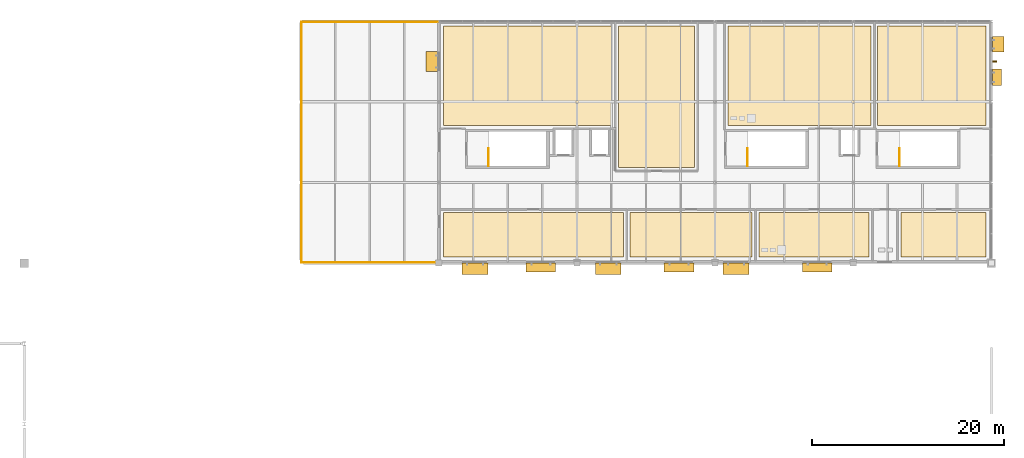
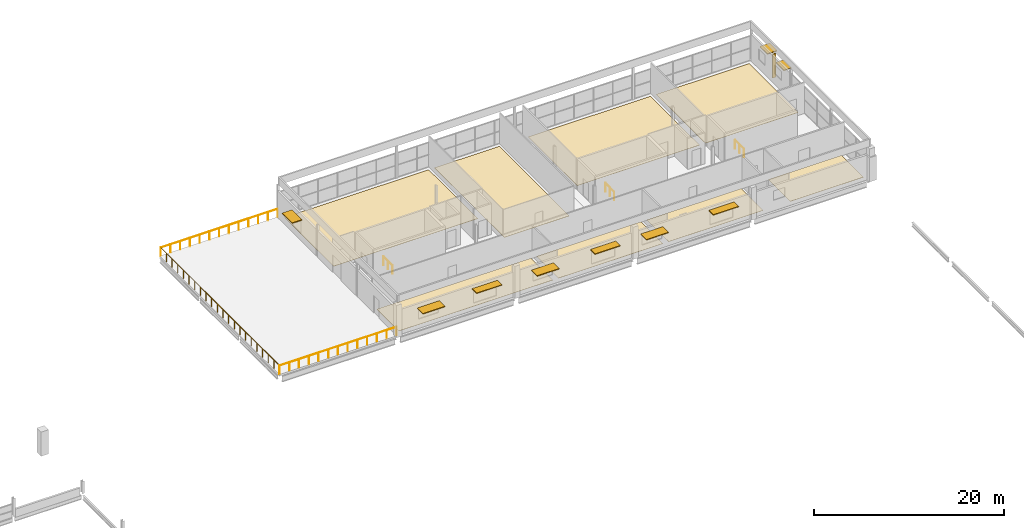
# One storey, part 42 of 43: 10 shading devices, 8 coverings, 6 railings.
"""IFC4 building model written with IfcOpenShell, lengths in metres."""

from ifc_helpers import new_model, si_unit, direction, frame, origin, origin_2d, place, context, subcontext, project, spatial, polyline, rectangle, circle, outline, extrude, material, layer, layer_set, type_object, element, save


model = new_model("IFC4")

# Units and contexts
model_context = context("Model", 3, precision=1e-05, world=origin(), true_north=direction((0.0, 1.0)))
body_context = subcontext(model_context, "Body", "Model", "MODEL_VIEW")
ifc_project = project(units=[si_unit("LENGTHUNIT", "METRE"), si_unit("AREAUNIT", "SQUARE_METRE"), si_unit("VOLUMEUNIT", "CUBIC_METRE"), si_unit("PLANEANGLEUNIT", "RADIAN"), si_unit("MASSUNIT", "GRAM", prefix="KILO"), si_unit("THERMODYNAMICTEMPERATUREUNIT", "KELVIN")], contexts=[model_context])

# Site, building, storey
site_placement = place(None, origin())
site = spatial("IfcSite", under=ifc_project, at=site_placement, CompositionType="ELEMENT")
building_placement = place(site_placement, origin())
building = spatial("IfcBuilding", under=site, at=building_placement, Name="Nduvali Passage Aquatics Centre", CompositionType="ELEMENT")
storey_placement = place(building_placement, frame((0.0, 0.0, 17.39990234375)))
storey = spatial("IfcBuildingStorey", under=building, at=storey_placement, Name="L04", CompositionType="ELEMENT", Elevation=17.39990234375)

# Shading devices
ifc_material_1 = material(Name="Glulam GL28h", Category="wood")
shading_device_type_1 = type_object("IfcShadingDeviceType", Name="ENV-SHD-FIN1", PredefinedType="USERDEFINED", material=ifc_material_1)
shading_device_1_placement = place(storey_placement, frame((126.3349609375, 113.407470703125, 0.199951171875), z_axis=(0.0, 0.0, 1.0), x_axis=(0.0, 1.0, 0.0)))
element("IfcShadingDevice", 1, at=shading_device_1_placement, inside=storey, type_object=shading_device_type_1, Name="L04 Vertical Glulam Facade Fin 0118", ObjectType="VERTICAL FIN", PredefinedType="USERDEFINED", context=body_context, shape_type="SweptSolid", body=[
    extrude(rectangle(XDim=0.1201171875, YDim=0.43994140625, at=origin_2d()), origin(), (0.0, 0.0, 1.0), 3.03662109375),
])
ifc_material_2 = material(Name="Aluminium EN AW-6063 T6", Category="aluminium")
ifc_layer_1 = layer(ifc_material_2, 0.090087890625, Name="Aluminium EN AW-6063 T6")
ifc_layer_set_1 = layer_set([ifc_layer_1], Name="Aluminium EN AW-6063 T6")
shading_device_type_2 = type_object("IfcShadingDeviceType", Name="ENV-SHD-SUN1", PredefinedType="AWNING", material=ifc_layer_set_1)
shading_device_2_placement = place(storey_placement, frame((67.68994140625, 113.406982421875, 2.7548828125), z_axis=(0.0, 0.0, 1.0), x_axis=(0.0, -1.0, 0.0)))
element("IfcShadingDevice", 2, at=shading_device_2_placement, inside=storey, type_object=shading_device_type_2, Name="L04 Horizontal Monsoon Sunshade 0115", PredefinedType="AWNING", context=body_context, shape_type="SweptSolid", body=[
    extrude(rectangle(XDim=2.10009765625, YDim=1.199951171875, at=origin_2d()), origin(), (0.0, 0.0, 1.0), 0.090087890625),
])
shading_device_3_placement = place(storey_placement, frame((126.7099609375, 115.201904296875, 2.60498046875), z_axis=(0.0, 0.0, 1.0), x_axis=(0.0, 1.0, 0.0)))
element("IfcShadingDevice", 3, at=shading_device_3_placement, inside=storey, type_object=shading_device_type_2, Name="L04 Horizontal Monsoon Sunshade 0117", PredefinedType="AWNING", context=body_context, shape_type="SweptSolid", body=[
    extrude(rectangle(XDim=1.60009765625, YDim=1.199951171875, at=origin_2d()), origin(), (0.0, 0.0, 1.0), 0.090087890625),
])
for number, where, z_axis, x_axis, name in (
    (4, (72.162109375, 91.820068359375, 2.60498046875), (0.0, 0.0, 1.0), (1.0, 0.0, 0.0), "L04 Horizontal Monsoon Sunshade 0119"),
    (5, (86.06201171875, 91.820068359375, 2.60498046875), (0.0, 0.0, 1.0), (1.0, 0.0, 0.0), "L04 Horizontal Monsoon Sunshade 0121"),
    (6, (99.362060546875, 91.820068359375, 2.60498046875), (0.0, 0.0, 1.0), (1.0, 0.0, 0.0), "L04 Horizontal Monsoon Sunshade 0123"),
):
    element("IfcShadingDevice", number, at=place(storey_placement, frame(where, z_axis=z_axis, x_axis=x_axis)), inside=storey, type_object=shading_device_type_2, Name=name, PredefinedType="AWNING", context=body_context, shape_type="SweptSolid", body=[
        extrude(rectangle(XDim=2.699951171875, YDim=1.199951171875, at=origin_2d()), origin(), (0.0, 0.0, 1.0), 0.090087890625),
    ])
ifc_layer_2 = layer(ifc_material_2, 0.080078125, Name="Aluminium EN AW-6063 T6")
ifc_layer_set_2 = layer_set([ifc_layer_2], Name="Aluminium EN AW-6063 T6")
shading_device_type_3 = type_object("IfcShadingDeviceType", Name="ENV-SHD-SUN2", PredefinedType="AWNING", material=ifc_layer_set_2)
shading_device_4_placement = place(storey_placement, frame((126.5849609375, 111.777099609375, 2.610107421875), z_axis=(0.0, 0.0, 1.0), x_axis=(0.0, 1.0, 0.0)))
element("IfcShadingDevice", 7, at=shading_device_4_placement, inside=storey, type_object=shading_device_type_3, Name="L04 Horizontal Monsoon Sunshade 0116", PredefinedType="AWNING", context=body_context, shape_type="SweptSolid", body=[
    extrude(rectangle(XDim=1.699951171875, YDim=0.949951171875, at=origin_2d()), origin(), (0.0, 0.0, 1.0), 0.080078125),
])
for number, where, z_axis, x_axis, name in (
    (8, (79.037109375, 91.945068359375, 2.760009765625), (0.0, 0.0, 1.0), (1.0, 0.0, 0.0), "L04 Horizontal Monsoon Sunshade 0120"),
    (9, (93.43701171875, 91.945068359375, 2.760009765625), (0.0, 0.0, 1.0), (1.0, 0.0, 0.0), "L04 Horizontal Monsoon Sunshade 0122"),
    (10, (107.8369140625, 91.945068359375, 2.760009765625), (0.0, 0.0, 1.0), (1.0, 0.0, 0.0), "L04 Horizontal Monsoon Sunshade 0124"),
):
    element("IfcShadingDevice", number, at=place(storey_placement, frame(where, z_axis=z_axis, x_axis=x_axis)), inside=storey, type_object=shading_device_type_3, Name=name, PredefinedType="AWNING", context=body_context, shape_type="SweptSolid", body=[
        extrude(rectangle(XDim=3.10009765625, YDim=0.949951171875, at=origin_2d()), origin(), (0.0, 0.0, 1.0), 0.080078125),
    ])

# Coverings
ifc_material_3 = material(Name="Polished coral-aggregate terrazzo")
ifc_layer_3 = layer(ifc_material_3, 0.030029296875, Name="Polished coral-aggregate terrazzo")
ifc_layer_set_3 = layer_set([ifc_layer_3], Name="Polished coral-aggregate terrazzo")
covering_type_1 = type_object("IfcCoveringType", Name="INT-COV-TERRAZZO", PredefinedType="FLOORING", material=ifc_layer_set_3)
covering_1_placement = place(storey_placement, origin())
element("IfcCovering", 11, at=covering_1_placement, inside=storey, type_object=covering_type_1, Name="L04 Breathwork and Altitude Conditioning Wellness Studio Floor Finish", PredefinedType="FLOORING", context=body_context, shape_type="SweptSolid", body=[
    extrude(outline(polyline([(68.89990234375, 106.75), (86.449951171875, 106.75), (86.449951171875, 117.110107421875), (68.89990234375, 117.110107421875), (68.89990234375, 106.75)])), origin(), (0.0, 0.0, 1.0), 0.030029296875),
])
covering_2_placement = place(storey_placement, origin())
element("IfcCovering", 12, at=covering_2_placement, inside=storey, type_object=covering_type_1, Name="L04 Athlete Mobility and Recovery Wellness Studio Floor Finish", PredefinedType="FLOORING", context=body_context, shape_type="SweptSolid", body=[
    extrude(outline(polyline([(87.14990234375, 102.35009765625), (95.050048828125, 102.35009765625), (95.050048828125, 117.110107421875), (87.14990234375, 117.110107421875), (87.14990234375, 102.35009765625)])), origin(), (0.0, 0.0, 1.0), 0.030029296875),
])
covering_3_placement = place(storey_placement, origin())
element("IfcCovering", 13, at=covering_3_placement, inside=storey, type_object=covering_type_1, Name="L04 Upper Wing Heat-Recovery AHU Mechanical Plant Room Floor Finish", PredefinedType="FLOORING", context=body_context, shape_type="SweptSolid", body=[
    extrude(outline(polyline([(114.14990234375, 106.75), (125.449951171875, 106.75), (125.449951171875, 117.110107421875), (114.14990234375, 117.110107421875), (114.14990234375, 106.75)])), origin(), (0.0, 0.0, 1.0), 0.030029296875),
])
covering_4_placement = place(storey_placement, origin())
element("IfcCovering", 14, at=covering_4_placement, inside=storey, type_object=covering_type_1, Name="L04 Athlete Recovery Nutrition Lounge and Tea Bar Floor Finish", PredefinedType="FLOORING", context=body_context, shape_type="SweptSolid", body=[
    extrude(outline(polyline([(68.89990234375, 93.010009765625), (87.64990234375, 93.010009765625), (87.64990234375, 97.64990234375), (68.89990234375, 97.64990234375), (68.89990234375, 93.010009765625)])), origin(), (0.0, 0.0, 1.0), 0.030029296875),
])
covering_5_placement = place(storey_placement, origin())
element("IfcCovering", 15, at=covering_5_placement, inside=storey, type_object=covering_type_1, Name="L04 Sports Psychology and Video Biomechanics Suite Floor Finish", PredefinedType="FLOORING", context=body_context, shape_type="SweptSolid", body=[
    extrude(outline(polyline([(88.35009765625, 93.010009765625), (101.050048828125, 93.010009765625), (101.050048828125, 97.64990234375), (88.35009765625, 97.64990234375), (88.35009765625, 93.010009765625)])), origin(), (0.0, 0.0, 1.0), 0.030029296875),
])
covering_6_placement = place(storey_placement, origin())
element("IfcCovering", 16, at=covering_6_placement, inside=storey, type_object=covering_type_1, Name="L04 Recovery Wellness Linen and Mat Store Floor Finish", PredefinedType="FLOORING", context=body_context, shape_type="SweptSolid", body=[
    extrude(outline(polyline([(116.550048828125, 93.010009765625), (125.449951171875, 93.010009765625), (125.449951171875, 97.64990234375), (116.550048828125, 97.64990234375), (116.550048828125, 93.010009765625)])), origin(), (0.0, 0.0, 1.0), 0.030029296875),
])
ifc_material_4 = material(Name="Anti-slip ceramic pool deck tile")
ifc_layer_4 = layer(ifc_material_4, 0.02490234375, Name="Anti-slip ceramic pool deck tile")
ifc_layer_set_4 = layer_set([ifc_layer_4], Name="Anti-slip ceramic pool deck tile")
covering_type_2 = type_object("IfcCoveringType", Name="INT-COV-TILE", PredefinedType="FLOORING", material=ifc_layer_set_4)
covering_7_placement = place(storey_placement, origin())
element("IfcCovering", 17, at=covering_7_placement, inside=storey, type_object=covering_type_2, Name="L04 Contrast Hydro-Thermal Plunge and Sauna Suite Floor Finish", PredefinedType="FLOORING", context=body_context, shape_type="SweptSolid", body=[
    extrude(outline(polyline([(98.550048828125, 106.75), (113.449951171875, 106.75), (113.449951171875, 117.110107421875), (98.550048828125, 117.110107421875), (98.550048828125, 106.75)])), origin(), (0.0, 0.0, 1.0), 0.025146484375),
])
covering_8_placement = place(storey_placement, origin())
element("IfcCovering", 18, at=covering_8_placement, inside=storey, type_object=covering_type_2, Name="L04 L04 Wellness Toilets and Changing Floor Finish", PredefinedType="FLOORING", context=body_context, shape_type="SweptSolid", body=[
    extrude(outline(polyline([(101.75, 93.010009765625), (113.25, 93.010009765625), (113.25, 97.64990234375), (101.75, 97.64990234375), (101.75, 93.010009765625)])), origin(), (0.0, 0.0, 1.0), 0.025146484375),
])

# Railings
ifc_material_5 = material(Name="Stainless steel balustrade", Category="steel")
railing_type_1 = type_object("IfcRailingType", Name="INT-RLG-EXT112", PredefinedType="BALUSTRADE", material=ifc_material_5)
railing_1_placement = place(storey_placement, frame((54.080078125, 117.52001953125, 0.0)))
element("IfcRailing", 19, at=railing_1_placement, inside=storey, type_object=railing_type_1, Name="L04 Upper Terrace North Perimeter Balustrade", PredefinedType="BALUSTRADE", context=body_context, shape_type="SweptSolid", body=[
    extrude(circle(Radius=0.02392578125, at=origin_2d()), frame((0.0, 0.0, 1.09619140625), z_axis=(1.0, 0.0, 0.0), x_axis=(0.0, 1.0, 0.0)), (0.0, 0.0, 1.0), 14.239990234375),
    extrude(circle(Radius=0.02099609375, at=origin_2d()), origin(), (0.0, 0.0, 1.0), 1.072021484375),
    extrude(circle(Radius=0.02099609375, at=origin_2d()), frame((1.186767578125, 0.0, 0.0)), (0.0, 0.0, 1.0), 1.072021484375),
    extrude(circle(Radius=0.02099609375, at=origin_2d()), frame((2.373291015625, 0.0, 0.0)), (0.0, 0.0, 1.0), 1.072021484375),
    extrude(circle(Radius=0.02099609375, at=origin_2d()), frame((3.56005859375, 0.0, 0.0)), (0.0, 0.0, 1.0), 1.072021484375),
    extrude(circle(Radius=0.02099609375, at=origin_2d()), frame((4.74658203125, 0.0, 0.0)), (0.0, 0.0, 1.0), 1.072021484375),
    extrude(circle(Radius=0.02099609375, at=origin_2d()), frame((5.933349609375, 0.0, 0.0)), (0.0, 0.0, 1.0), 1.072021484375),
    extrude(circle(Radius=0.02099609375, at=origin_2d()), frame((7.1201171875, 0.0, 0.0)), (0.0, 0.0, 1.0), 1.072021484375),
    extrude(circle(Radius=0.02099609375, at=origin_2d()), frame((8.306640625, 0.0, 0.0)), (0.0, 0.0, 1.0), 1.072021484375),
    extrude(circle(Radius=0.02099609375, at=origin_2d()), frame((9.493408203125, 0.0, 0.0)), (0.0, 0.0, 1.0), 1.072021484375),
    extrude(circle(Radius=0.02099609375, at=origin_2d()), frame((10.679931640625, 0.0, 0.0)), (0.0, 0.0, 1.0), 1.072021484375),
    extrude(circle(Radius=0.02099609375, at=origin_2d()), frame((11.86669921875, 0.0, 0.0)), (0.0, 0.0, 1.0), 1.072021484375),
    extrude(circle(Radius=0.02099609375, at=origin_2d()), frame((13.05322265625, 0.0, 0.0)), (0.0, 0.0, 1.0), 1.072021484375),
    extrude(circle(Radius=0.02099609375, at=origin_2d()), frame((14.239990234375, 0.0, 0.0)), (0.0, 0.0, 1.0), 1.072021484375),
])
railing_2_placement = place(storey_placement, frame((54.080078125, 92.47998046875, 0.0)))
element("IfcRailing", 20, at=railing_2_placement, inside=storey, type_object=railing_type_1, Name="L04 Upper Terrace West Perimeter Balustrade", PredefinedType="BALUSTRADE", context=body_context, shape_type="SweptSolid", body=[
    extrude(circle(Radius=0.02392578125, at=origin_2d()), frame((0.0, 0.0, 1.09619140625), z_axis=(0.0, 1.0, 0.0), x_axis=(-1.0, 0.0, 0.0)), (0.0, 0.0, 1.0), 25.0400390625),
    extrude(circle(Radius=0.02099609375, at=origin_2d()), origin(), (0.0, 0.0, 1.0), 1.072021484375),
    extrude(circle(Radius=0.02099609375, at=origin_2d()), frame((0.0, 1.1923828125, 0.0)), (0.0, 0.0, 1.0), 1.072021484375),
    extrude(circle(Radius=0.02099609375, at=origin_2d()), frame((0.0, 2.384765625, 0.0)), (0.0, 0.0, 1.0), 1.072021484375),
    extrude(circle(Radius=0.02099609375, at=origin_2d()), frame((0.0, 3.5771484375, 0.0)), (0.0, 0.0, 1.0), 1.072021484375),
    extrude(circle(Radius=0.02099609375, at=origin_2d()), frame((0.0, 4.76953125, 0.0)), (0.0, 0.0, 1.0), 1.072021484375),
    extrude(circle(Radius=0.02099609375, at=origin_2d()), frame((0.0, 5.9619140625, 0.0)), (0.0, 0.0, 1.0), 1.072021484375),
    extrude(circle(Radius=0.02099609375, at=origin_2d()), frame((0.0, 7.154296875, 0.0)), (0.0, 0.0, 1.0), 1.072021484375),
    extrude(circle(Radius=0.02099609375, at=origin_2d()), frame((0.0, 8.3466796875, 0.0)), (0.0, 0.0, 1.0), 1.072021484375),
    extrude(circle(Radius=0.02099609375, at=origin_2d()), frame((0.0, 9.5390625, 0.0)), (0.0, 0.0, 1.0), 1.072021484375),
    extrude(circle(Radius=0.02099609375, at=origin_2d()), frame((0.0, 10.7314453125, 0.0)), (0.0, 0.0, 1.0), 1.072021484375),
    extrude(circle(Radius=0.02099609375, at=origin_2d()), frame((0.0, 11.923828125, 0.0)), (0.0, 0.0, 1.0), 1.072021484375),
    extrude(circle(Radius=0.02099609375, at=origin_2d()), frame((0.0, 13.1162109375, 0.0)), (0.0, 0.0, 1.0), 1.072021484375),
    extrude(circle(Radius=0.02099609375, at=origin_2d()), frame((0.0, 14.30859375, 0.0)), (0.0, 0.0, 1.0), 1.072021484375),
    extrude(circle(Radius=0.02099609375, at=origin_2d()), frame((0.0, 15.5009765625, 0.0)), (0.0, 0.0, 1.0), 1.072021484375),
    extrude(circle(Radius=0.02099609375, at=origin_2d()), frame((0.0, 16.693359375, 0.0)), (0.0, 0.0, 1.0), 1.072021484375),
    extrude(circle(Radius=0.02099609375, at=origin_2d()), frame((0.0, 17.8857421875, 0.0)), (0.0, 0.0, 1.0), 1.072021484375),
    extrude(circle(Radius=0.02099609375, at=origin_2d()), frame((0.0, 19.078125, 0.0)), (0.0, 0.0, 1.0), 1.072021484375),
    extrude(circle(Radius=0.02099609375, at=origin_2d()), frame((0.0, 20.2705078125, 0.0)), (0.0, 0.0, 1.0), 1.072021484375),
    extrude(circle(Radius=0.02099609375, at=origin_2d()), frame((0.0, 21.462890625, 0.0)), (0.0, 0.0, 1.0), 1.072021484375),
    extrude(circle(Radius=0.02099609375, at=origin_2d()), frame((0.0, 22.6552734375, 0.0)), (0.0, 0.0, 1.0), 1.072021484375),
    extrude(circle(Radius=0.02099609375, at=origin_2d()), frame((0.0, 23.84765625, 0.0)), (0.0, 0.0, 1.0), 1.072021484375),
    extrude(circle(Radius=0.02099609375, at=origin_2d()), frame((0.0, 25.0400390625, 0.0)), (0.0, 0.0, 1.0), 1.072021484375),
])
railing_3_placement = place(storey_placement, frame((54.080078125, 92.47998046875, 0.0)))
element("IfcRailing", 21, at=railing_3_placement, inside=storey, type_object=railing_type_1, Name="L04 Upper Terrace South Perimeter Balustrade", PredefinedType="BALUSTRADE", context=body_context, shape_type="SweptSolid", body=[
    extrude(circle(Radius=0.02392578125, at=origin_2d()), frame((0.0, 0.0, 1.09619140625), z_axis=(1.0, 0.0, 0.0), x_axis=(0.0, 1.0, 0.0)), (0.0, 0.0, 1.0), 14.239990234375),
    extrude(circle(Radius=0.02099609375, at=origin_2d()), origin(), (0.0, 0.0, 1.0), 1.072021484375),
    extrude(circle(Radius=0.02099609375, at=origin_2d()), frame((1.186767578125, 0.0, 0.0)), (0.0, 0.0, 1.0), 1.072021484375),
    extrude(circle(Radius=0.02099609375, at=origin_2d()), frame((2.373291015625, 0.0, 0.0)), (0.0, 0.0, 1.0), 1.072021484375),
    extrude(circle(Radius=0.02099609375, at=origin_2d()), frame((3.56005859375, 0.0, 0.0)), (0.0, 0.0, 1.0), 1.072021484375),
    extrude(circle(Radius=0.02099609375, at=origin_2d()), frame((4.74658203125, 0.0, 0.0)), (0.0, 0.0, 1.0), 1.072021484375),
    extrude(circle(Radius=0.02099609375, at=origin_2d()), frame((5.933349609375, 0.0, 0.0)), (0.0, 0.0, 1.0), 1.072021484375),
    extrude(circle(Radius=0.02099609375, at=origin_2d()), frame((7.1201171875, 0.0, 0.0)), (0.0, 0.0, 1.0), 1.072021484375),
    extrude(circle(Radius=0.02099609375, at=origin_2d()), frame((8.306640625, 0.0, 0.0)), (0.0, 0.0, 1.0), 1.072021484375),
    extrude(circle(Radius=0.02099609375, at=origin_2d()), frame((9.493408203125, 0.0, 0.0)), (0.0, 0.0, 1.0), 1.072021484375),
    extrude(circle(Radius=0.02099609375, at=origin_2d()), frame((10.679931640625, 0.0, 0.0)), (0.0, 0.0, 1.0), 1.072021484375),
    extrude(circle(Radius=0.02099609375, at=origin_2d()), frame((11.86669921875, 0.0, 0.0)), (0.0, 0.0, 1.0), 1.072021484375),
    extrude(circle(Radius=0.02099609375, at=origin_2d()), frame((13.05322265625, 0.0, 0.0)), (0.0, 0.0, 1.0), 1.072021484375),
    extrude(circle(Radius=0.02099609375, at=origin_2d()), frame((14.239990234375, 0.0, 0.0)), (0.0, 0.0, 1.0), 1.072021484375),
])
railing_type_2 = type_object("IfcRailingType", Name="INT-RLG-GRD110", PredefinedType="GUARDRAIL", material=ifc_material_5)
for number, where, name in (
    (22, (73.60009765625, 102.5, 0.0), "L04 ST1 top well guard 1"),
    (23, (116.39990234375, 102.5, 0.0), "L04 ST2 top well guard 1"),
    (24, (100.60009765625, 102.5, 0.0), "L04 ST11 top well guard 1"),
):
    element("IfcRailing", number, at=place(storey_placement, frame(where)), inside=storey, type_object=railing_type_2, Name=name, PredefinedType="GUARDRAIL", context=body_context, shape_type="SweptSolid", body=[
        extrude(circle(Radius=0.02392578125, at=origin_2d()), frame((0.0, 0.0, 1.076171875), z_axis=(0.0, 1.0, 0.0), x_axis=(-1.0, 0.0, 0.0)), (0.0, 0.0, 1.0), 1.8701171875),
        extrude(circle(Radius=0.02099609375, at=origin_2d()), origin(), (0.0, 0.0, 1.0), 1.052001953125),
        extrude(circle(Radius=0.02099609375, at=origin_2d()), frame((0.0, 0.93505859375, 0.0)), (0.0, 0.0, 1.0), 1.052001953125),
        extrude(circle(Radius=0.02099609375, at=origin_2d()), frame((0.0, 1.8701171875, 0.0)), (0.0, 0.0, 1.0), 1.052001953125),
    ])

save(model, "model.ifc")
